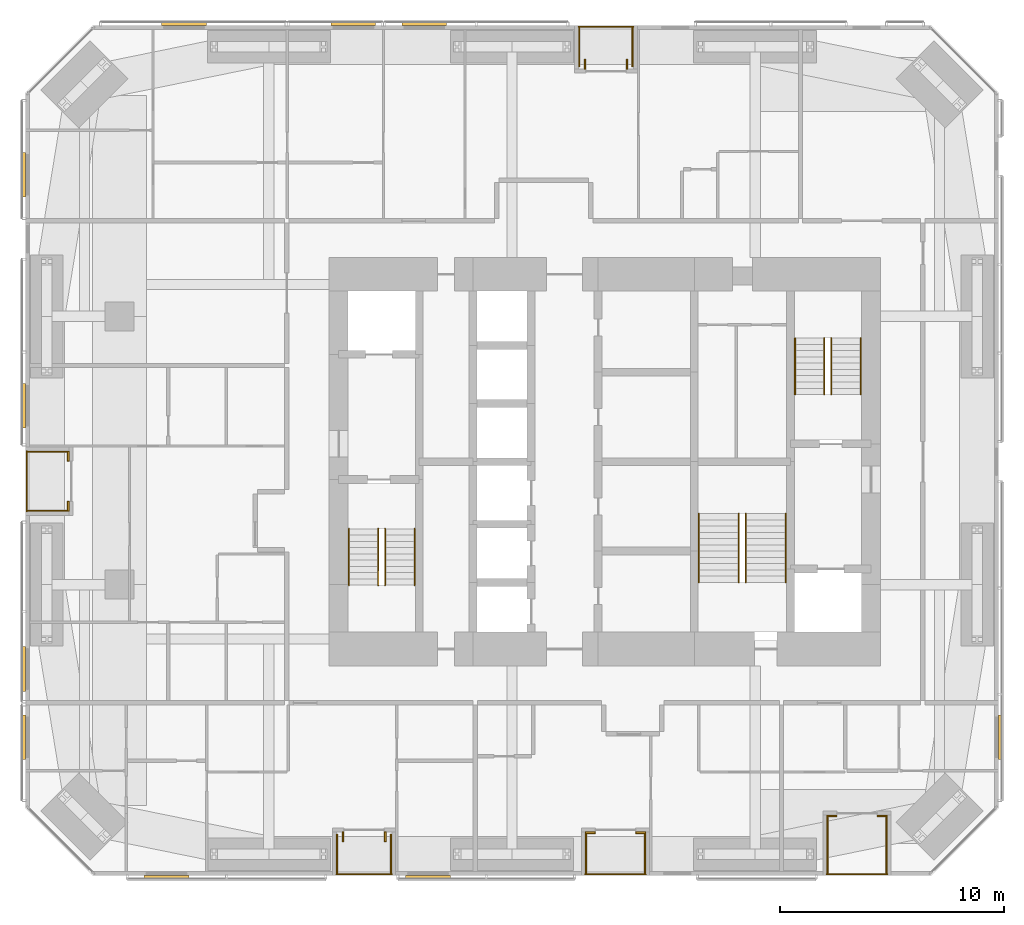
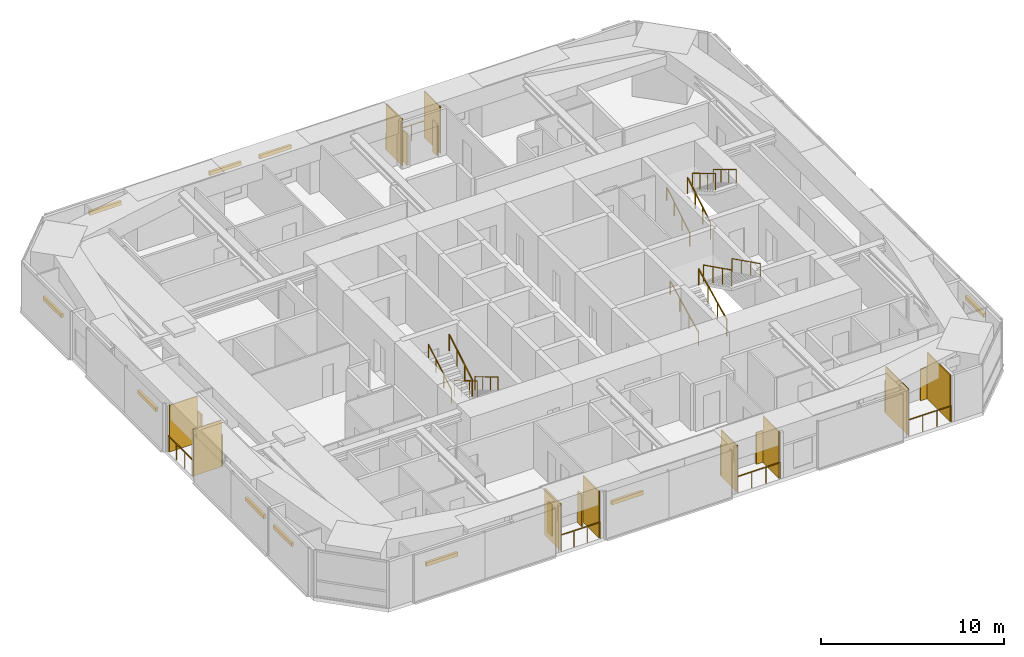
# One storey, part 23 of 23: 30 shading devices, 17 railings.
"""IFC4 building model written with IfcOpenShell, lengths in metres."""

from ifc_helpers import new_model, si_unit, direction, frame, origin, origin_2d, place, context, subcontext, project, spatial, rectangle, circle, extrude, material, layer, layer_set, constituent, constituent_set, type_object, element, save


model = new_model("IFC4")

# Units and contexts
model_context = context("Model", 3, precision=1e-05, world=origin(), true_north=direction((0.0, 1.0)))
body_context = subcontext(model_context, "Body", "Model", "MODEL_VIEW")
ifc_project = project(units=[si_unit("LENGTHUNIT", "METRE"), si_unit("AREAUNIT", "SQUARE_METRE"), si_unit("VOLUMEUNIT", "CUBIC_METRE"), si_unit("PLANEANGLEUNIT", "RADIAN"), si_unit("MASSUNIT", "GRAM", prefix="KILO")], contexts=[model_context])

# Site, building, storey
site_placement = place(None, origin())
site = spatial("IfcSite", under=ifc_project, at=site_placement, CompositionType="ELEMENT")
building_placement = place(site_placement, origin())
building = spatial("IfcBuilding", under=site, at=building_placement, Name="Jalousie Tower", CompositionType="ELEMENT")
storey_placement = place(building_placement, frame((0.0, 0.0, 108.199951171875)))
storey = spatial("IfcBuildingStorey", under=building, at=storey_placement, Name="L29", CompositionType="ELEMENT", Elevation=108.199951171875)

# Shading devices
ifc_material_1 = material(Name="Aluminium impact-rated louvred storm shutter", Category="aluminium")
shading_device_type_1 = type_object("IfcShadingDeviceType", Name="BI-FOLD STORM SHUTTER 900x2100", PredefinedType="SHUTTER", material=ifc_material_1)
for number, where, z_axis, x_axis, name in (
    (1, (20.197509765625, 1.72509765625, 0.0), (0.0, 0.0, 1.0), (0.0, 1.0, 0.0), "Loggia storm shutter L29"),
    (2, (22.077392578125, 1.72509765625, 0.0), (0.0, 0.0, 1.0), (0.0, 1.0, 0.0), "Loggia storm shutter L29"),
    (3, (31.25, 1.909912109375, 0.0), (0.0, 0.0, 1.0), (1.0, 0.0, 0.0), "Loggia storm shutter L29"),
    (4, (33.5, 1.909912109375, 0.0), (0.0, 0.0, 1.0), (1.0, 0.0, 0.0), "Loggia storm shutter L29"),
    (5, (42.050048828125, 2.659912109375, 0.0), (0.0, 0.0, 1.0), (1.0, 0.0, 0.0), "Loggia storm shutter L29"),
    (6, (44.300048828125, 2.659912109375, 0.0), (0.0, 0.0, 1.0), (1.0, 0.0, 0.0), "Loggia storm shutter L29"),
    (7, (32.890625, 36.27490234375, 0.0), (0.0, 0.0, 1.0), (0.0, -1.0, 0.0), "Loggia storm shutter L29"),
    (8, (31.010498046875, 36.27490234375, 0.0), (0.0, 0.0, 1.0), (0.0, -1.0, 0.0), "Loggia storm shutter L29"),
    (9, (7.909912109375, 18.75, 0.0), (0.0, 0.0, 1.0), (0.0, -1.0, 0.0), "Loggia storm shutter L29"),
    (10, (7.909912109375, 16.5, 0.0), (0.0, 0.0, 1.0), (0.0, -1.0, 0.0), "Loggia storm shutter L29"),
):
    element("IfcShadingDevice", number, at=place(storey_placement, frame(where, z_axis=z_axis, x_axis=x_axis)), inside=storey, type_object=shading_device_type_1, Name=name, PredefinedType="SHUTTER", context=body_context, shape_type="SweptSolid", body=[
        extrude(rectangle(XDim=0.449951171875, YDim=0.080078125, at=origin_2d()), origin(), (0.0, 0.0, 1.0), 2.10009765625),
    ])

# Railings
ifc_material_2 = material(Name="Powder-coated aluminium fretwork", Category="aluminium")
railing_type_1 = type_object("IfcRailingType", Name="FRETWORK BALUSTRADE 1100", PredefinedType="BALUSTRADE", material=ifc_material_2)
railing_1_placement = place(storey_placement, frame((19.89990234375, 0.050048828125, 0.0)))
element("IfcRailing", 11, at=railing_1_placement, inside=storey, type_object=railing_type_1, Name="Loggia fretwork balustrade L29", PredefinedType="BALUSTRADE", context=body_context, shape_type="SweptSolid", body=[
    extrude(rectangle(XDim=0.048095703125, YDim=0.048095703125, at=origin_2d()), frame((0.0, 0.0, 1.076171875), z_axis=(1.0, 0.0, 0.0), x_axis=(0.0, 1.0, 0.0)), (0.0, 0.0, 1.0), 2.47509765625),
    extrude(circle(Radius=0.02099609375, at=origin_2d()), origin(), (0.0, 0.0, 1.0), 1.052001953125),
    extrude(circle(Radius=0.02099609375, at=origin_2d()), frame((0.824951171875, 0.0, 0.0)), (0.0, 0.0, 1.0), 1.052001953125),
    extrude(circle(Radius=0.02099609375, at=origin_2d()), frame((1.650146484375, 0.0, 0.0)), (0.0, 0.0, 1.0), 1.052001953125),
    extrude(circle(Radius=0.02099609375, at=origin_2d()), frame((2.47509765625, 0.0, 0.0)), (0.0, 0.0, 1.0), 1.052001953125),
])
railing_2_placement = place(storey_placement, frame((31.02490234375, 0.050048828125, 0.0)))
element("IfcRailing", 12, at=railing_2_placement, inside=storey, type_object=railing_type_1, Name="Loggia fretwork balustrade L29", PredefinedType="BALUSTRADE", context=body_context, shape_type="SweptSolid", body=[
    extrude(rectangle(XDim=0.048095703125, YDim=0.048095703125, at=origin_2d()), frame((0.0, 0.0, 1.076171875), z_axis=(1.0, 0.0, 0.0), x_axis=(0.0, 1.0, 0.0)), (0.0, 0.0, 1.0), 2.7001953125),
    extrude(circle(Radius=0.02099609375, at=origin_2d()), origin(), (0.0, 0.0, 1.0), 1.052001953125),
    extrude(circle(Radius=0.02099609375, at=origin_2d()), frame((0.900146484375, 0.0, 0.0)), (0.0, 0.0, 1.0), 1.052001953125),
    extrude(circle(Radius=0.02099609375, at=origin_2d()), frame((1.800048828125, 0.0, 0.0)), (0.0, 0.0, 1.0), 1.052001953125),
    extrude(circle(Radius=0.02099609375, at=origin_2d()), frame((2.7001953125, 0.0, 0.0)), (0.0, 0.0, 1.0), 1.052001953125),
])
railing_3_placement = place(storey_placement, frame((41.824951171875, 0.050048828125, 0.0)))
element("IfcRailing", 13, at=railing_3_placement, inside=storey, type_object=railing_type_1, Name="Loggia fretwork balustrade L29", PredefinedType="BALUSTRADE", context=body_context, shape_type="SweptSolid", body=[
    extrude(rectangle(XDim=0.048095703125, YDim=0.048095703125, at=origin_2d()), frame((0.0, 0.0, 1.076171875), z_axis=(1.0, 0.0, 0.0), x_axis=(0.0, 1.0, 0.0)), (0.0, 0.0, 1.0), 2.699951171875),
    extrude(circle(Radius=0.02099609375, at=origin_2d()), origin(), (0.0, 0.0, 1.0), 1.052001953125),
    extrude(circle(Radius=0.02099609375, at=origin_2d()), frame((0.89990234375, 0.0, 0.0)), (0.0, 0.0, 1.0), 1.052001953125),
    extrude(circle(Radius=0.02099609375, at=origin_2d()), frame((1.800048828125, 0.0, 0.0)), (0.0, 0.0, 1.0), 1.052001953125),
    extrude(circle(Radius=0.02099609375, at=origin_2d()), frame((2.699951171875, 0.0, 0.0)), (0.0, 0.0, 1.0), 1.052001953125),
])
railing_4_placement = place(storey_placement, frame((33.175537109375, 37.949951171875, 0.0)))
element("IfcRailing", 14, at=railing_4_placement, inside=storey, type_object=railing_type_1, Name="Loggia fretwork balustrade L29", PredefinedType="BALUSTRADE", context=body_context, shape_type="SweptSolid", body=[
    extrude(rectangle(XDim=0.048095703125, YDim=0.048095703125, at=origin_2d()), frame((0.0, 0.0, 1.076171875), z_axis=(-1.0, 0.0, 0.0), x_axis=(0.0, -1.0, 0.0)), (0.0, 0.0, 1.0), 2.449951171875),
    extrude(circle(Radius=0.02099609375, at=origin_2d()), origin(), (0.0, 0.0, 1.0), 1.052001953125),
    extrude(circle(Radius=0.02099609375, at=origin_2d()), frame((-0.816650390625, 0.0, 0.0)), (0.0, 0.0, 1.0), 1.052001953125),
    extrude(circle(Radius=0.02099609375, at=origin_2d()), frame((-1.63330078125, 0.0, 0.0)), (0.0, 0.0, 1.0), 1.052001953125),
    extrude(circle(Radius=0.02099609375, at=origin_2d()), frame((-2.449951171875, 0.0, 0.0)), (0.0, 0.0, 1.0), 1.052001953125),
])
railing_5_placement = place(storey_placement, frame((6.050048828125, 18.97509765625, 0.0)))
element("IfcRailing", 15, at=railing_5_placement, inside=storey, type_object=railing_type_1, Name="Loggia fretwork balustrade L29", PredefinedType="BALUSTRADE", context=body_context, shape_type="SweptSolid", body=[
    extrude(rectangle(XDim=0.048095703125, YDim=0.048095703125, at=origin_2d()), frame((0.0, 0.0, 1.076171875), z_axis=(0.0, -1.0, 0.0), x_axis=(1.0, 0.0, 0.0)), (0.0, 0.0, 1.0), 2.7001953125),
    extrude(circle(Radius=0.02099609375, at=origin_2d()), origin(), (0.0, 0.0, 1.0), 1.052001953125),
    extrude(circle(Radius=0.02099609375, at=origin_2d()), frame((0.0, -0.900146484375, 0.0)), (0.0, 0.0, 1.0), 1.052001953125),
    extrude(circle(Radius=0.02099609375, at=origin_2d()), frame((0.0, -1.800048828125, 0.0)), (0.0, 0.0, 1.0), 1.052001953125),
    extrude(circle(Radius=0.02099609375, at=origin_2d()), frame((0.0, -2.7001953125, 0.0)), (0.0, 0.0, 1.0), 1.052001953125),
])

# Shading devices
ifc_material_3 = material(Name="Powder-coated aluminium louvres", Category="aluminium")
ifc_layer = layer(ifc_material_3, 0.06005859375)
ifc_layer_set = layer_set([ifc_layer], Name="Powder-coated aluminium louvres")
shading_device_type_2 = type_object("IfcShadingDeviceType", Name="JALOUSIE LOUVRE SCREEN", PredefinedType="JALOUSIE", material=ifc_layer_set)
for number, where, z_axis, x_axis, name in (
    (16, (19.929931640625, 0.97509765625, 0.0), (0.0, 0.0, 1.0), (1.0, 0.0, 0.0), "Loggia jalousie louvre screen L29"),
    (17, (22.344970703125, 0.97509765625, 0.0), (0.0, 0.0, 1.0), (1.0, 0.0, 0.0), "Loggia jalousie louvre screen L29"),
    (18, (31.054931640625, 0.97509765625, 0.0), (0.0, 0.0, 1.0), (1.0, 0.0, 0.0), "Loggia jalousie louvre screen L29"),
    (19, (33.695068359375, 0.97509765625, 0.0), (0.0, 0.0, 1.0), (1.0, 0.0, 0.0), "Loggia jalousie louvre screen L29"),
):
    element("IfcShadingDevice", number, at=place(storey_placement, frame(where, z_axis=z_axis, x_axis=x_axis)), inside=storey, type_object=shading_device_type_2, Name=name, PredefinedType="JALOUSIE", context=body_context, shape_type="SweptSolid", body=[
        extrude(rectangle(XDim=0.06005859375, YDim=1.75, at=origin_2d()), origin(), (0.0, 0.0, 1.0), 3.110107421875),
    ])
for number, where, z_axis, x_axis, name in (
    (20, (41.85498046875, 1.35009765625, 0.0), (0.0, 0.0, 1.0), (1.0, 0.0, 0.0), "Loggia jalousie louvre screen L29"),
    (21, (44.4951171875, 1.35009765625, 0.0), (0.0, 0.0, 1.0), (1.0, 0.0, 0.0), "Loggia jalousie louvre screen L29"),
):
    element("IfcShadingDevice", number, at=place(storey_placement, frame(where, z_axis=z_axis, x_axis=x_axis)), inside=storey, type_object=shading_device_type_2, Name=name, PredefinedType="JALOUSIE", context=body_context, shape_type="SweptSolid", body=[
        extrude(rectangle(XDim=0.06005859375, YDim=2.5, at=origin_2d()), origin(), (0.0, 0.0, 1.0), 3.110107421875),
    ])
for number, where, z_axis, x_axis, name in (
    (22, (33.1455078125, 37.02490234375, 0.0), (0.0, 0.0, 1.0), (-1.0, 0.0, 0.0), "Loggia jalousie louvre screen L29"),
    (23, (30.755615234375, 37.02490234375, 0.0), (0.0, 0.0, 1.0), (-1.0, 0.0, 0.0), "Loggia jalousie louvre screen L29"),
    (24, (6.97509765625, 18.945068359375, 0.0), (0.0, 0.0, 1.0), (0.0, -1.0, 0.0), "Loggia jalousie louvre screen L29"),
    (25, (6.97509765625, 16.304931640625, 0.0), (0.0, 0.0, 1.0), (0.0, -1.0, 0.0), "Loggia jalousie louvre screen L29"),
):
    element("IfcShadingDevice", number, at=place(storey_placement, frame(where, z_axis=z_axis, x_axis=x_axis)), inside=storey, type_object=shading_device_type_2, Name=name, PredefinedType="JALOUSIE", context=body_context, shape_type="SweptSolid", body=[
        extrude(rectangle(XDim=0.06005859375, YDim=1.75, at=origin_2d()), origin(), (0.0, 0.0, 1.0), 3.110107421875),
    ])

# Railings
ifc_material_4 = material(Name="Steel ASTM A500 Grade C", Category="steel")
ifc_constituent_1 = constituent(ifc_material_4, Name="Body")
ifc_material_5 = material(Name="Hot-dip galvanised zinc coating")
ifc_constituent_2 = constituent(ifc_material_5, Name="Finish")
ifc_constituent_set_1 = constituent_set(constituents=[ifc_constituent_1, ifc_constituent_2])
railing_type_2 = type_object("IfcRailingType", Name="STAIR GUARD 1100", PredefinedType="GUARDRAIL", material=ifc_constituent_set_1)
railing_6_placement = place(storey_placement, frame((22.080078125, 15.49755859375, 0.16748046875)))
element("IfcRailing", 26, at=railing_6_placement, inside=storey, type_object=railing_type_2, Name="Exit stair A guard L29 flight 1", PredefinedType="GUARDRAIL", context=body_context, shape_type="SweptSolid", body=[
    extrude(rectangle(XDim=0.048095703125, YDim=0.048095703125, at=origin_2d()), frame((0.0, 0.0, 1.076171875), z_axis=(0.0, -0.858159760407, 0.513382728203), x_axis=(1.0, 0.0, 0.0)), (0.0, 0.0, 1.0), 2.9365234375),
    extrude(circle(Radius=0.02099609375, at=origin_2d()), origin(), (0.0, 0.0, 1.0), 1.052001953125),
    extrude(circle(Radius=0.02099609375, at=origin_2d()), frame((0.0, -0.840087890625, 0.50244140625)), (0.0, 0.0, 1.0), 1.052001953125),
    extrude(circle(Radius=0.02099609375, at=origin_2d()), frame((0.0, -1.679931640625, 1.005126953125)), (0.0, 0.0, 1.0), 1.052001953125),
    extrude(circle(Radius=0.02099609375, at=origin_2d()), frame((0.0, -2.52001953125, 1.507568359375)), (0.0, 0.0, 1.0), 1.052001953125),
])
for number, where, name in (
    (27, (21.77001953125, 12.9775390625, 1.842529296875), "Exit stair A guard L29 flight 2"),
    (28, (41.719970703125, 21.50244140625, 0.16748046875), "Exit stair B guard L29 flight 1"),
):
    element("IfcRailing", number, at=place(storey_placement, frame(where)), inside=storey, type_object=railing_type_2, Name=name, PredefinedType="GUARDRAIL", context=body_context, shape_type="SweptSolid", body=[
        extrude(rectangle(XDim=0.048095703125, YDim=0.048095703125, at=origin_2d()), frame((0.0, 0.0, 1.076171875), z_axis=(0.0, 0.858159760407, 0.513382728203), x_axis=(-1.0, 0.0, 0.0)), (0.0, 0.0, 1.0), 2.9365234375),
        extrude(circle(Radius=0.02099609375, at=origin_2d()), origin(), (0.0, 0.0, 1.0), 1.052001953125),
        extrude(circle(Radius=0.02099609375, at=origin_2d()), frame((0.0, 0.840087890625, 0.50244140625)), (0.0, 0.0, 1.0), 1.052001953125),
        extrude(circle(Radius=0.02099609375, at=origin_2d()), frame((0.0, 1.679931640625, 1.005126953125)), (0.0, 0.0, 1.0), 1.052001953125),
        extrude(circle(Radius=0.02099609375, at=origin_2d()), frame((0.0, 2.52001953125, 1.507568359375)), (0.0, 0.0, 1.0), 1.052001953125),
    ])
railing_7_placement = place(storey_placement, frame((42.030029296875, 24.0224609375, 1.842529296875)))
element("IfcRailing", 29, at=railing_7_placement, inside=storey, type_object=railing_type_2, Name="Exit stair B guard L29 flight 2", PredefinedType="GUARDRAIL", context=body_context, shape_type="SweptSolid", body=[
    extrude(rectangle(XDim=0.048095703125, YDim=0.048095703125, at=origin_2d()), frame((0.0, 0.0, 1.076171875), z_axis=(0.0, -0.858159760407, 0.513382728203), x_axis=(1.0, 0.0, 0.0)), (0.0, 0.0, 1.0), 2.9365234375),
    extrude(circle(Radius=0.02099609375, at=origin_2d()), origin(), (0.0, 0.0, 1.0), 1.052001953125),
    extrude(circle(Radius=0.02099609375, at=origin_2d()), frame((0.0, -0.840087890625, 0.50244140625)), (0.0, 0.0, 1.0), 1.052001953125),
    extrude(circle(Radius=0.02099609375, at=origin_2d()), frame((0.0, -1.679931640625, 1.005126953125)), (0.0, 0.0, 1.0), 1.052001953125),
    extrude(circle(Radius=0.02099609375, at=origin_2d()), frame((0.0, -2.52001953125, 1.507568359375)), (0.0, 0.0, 1.0), 1.052001953125),
])
railing_8_placement = place(storey_placement, frame((37.89501953125, 13.097412109375, 0.1396484375)))
element("IfcRailing", 30, at=railing_8_placement, inside=storey, type_object=railing_type_2, Name="Exit stair C guard L29 flight 1", PredefinedType="GUARDRAIL", context=body_context, shape_type="SweptSolid", body=[
    extrude(rectangle(XDim=0.048095703125, YDim=0.048095703125, at=origin_2d()), frame((0.0, 0.0, 1.076171875), z_axis=(0.0, 0.894965676997, 0.446134998624), x_axis=(-1.0, 0.0, 0.0)), (0.0, 0.0, 1.0), 3.441650390625),
    extrude(circle(Radius=0.02099609375, at=origin_2d()), origin(), (0.0, 0.0, 1.0), 1.052001953125),
    extrude(circle(Radius=0.02099609375, at=origin_2d()), frame((0.0, 1.026611328125, 0.51171875)), (0.0, 0.0, 1.0), 1.052001953125),
    extrude(circle(Radius=0.02099609375, at=origin_2d()), frame((0.0, 2.053466796875, 1.023681640625)), (0.0, 0.0, 1.0), 1.052001953125),
    extrude(circle(Radius=0.02099609375, at=origin_2d()), frame((0.0, 3.080078125, 1.535400390625)), (0.0, 0.0, 1.0), 1.052001953125),
])
railing_9_placement = place(storey_placement, frame((38.205078125, 16.177490234375, 1.814697265625)))
element("IfcRailing", 31, at=railing_9_placement, inside=storey, type_object=railing_type_2, Name="Exit stair C guard L29 flight 2", PredefinedType="GUARDRAIL", context=body_context, shape_type="SweptSolid", body=[
    extrude(rectangle(XDim=0.048095703125, YDim=0.048095703125, at=origin_2d()), frame((0.0, 0.0, 1.076171875), z_axis=(0.0, -0.894965676997, 0.446134998624), x_axis=(1.0, 0.0, 0.0)), (0.0, 0.0, 1.0), 3.441650390625),
    extrude(circle(Radius=0.02099609375, at=origin_2d()), origin(), (0.0, 0.0, 1.0), 1.052001953125),
    extrude(circle(Radius=0.02099609375, at=origin_2d()), frame((0.0, -1.026611328125, 0.51171875)), (0.0, 0.0, 1.0), 1.052001953125),
    extrude(circle(Radius=0.02099609375, at=origin_2d()), frame((0.0, -2.053466796875, 1.023681640625)), (0.0, 0.0, 1.0), 1.052001953125),
    extrude(circle(Radius=0.02099609375, at=origin_2d()), frame((0.0, -3.080078125, 1.535400390625)), (0.0, 0.0, 1.0), 1.052001953125),
])
ifc_material_6 = material(Name="Steel ASTM A500 Grade C", Category="steel")
ifc_constituent_3 = constituent(ifc_material_6, Name="Body")
ifc_material_7 = material(Name="Hot-dip galvanised zinc coating")
ifc_constituent_4 = constituent(ifc_material_7, Name="Finish")
ifc_constituent_set_2 = constituent_set(constituents=[ifc_constituent_3, ifc_constituent_4])
railing_type_3 = type_object("IfcRailingType", Name="STAIR HANDRAIL 900", PredefinedType="HANDRAIL", material=ifc_constituent_set_2)
railing_10_placement = place(storey_placement, frame((23.39501953125, 15.49755859375, 0.16748046875)))
element("IfcRailing", 32, at=railing_10_placement, inside=storey, type_object=railing_type_3, Name="Exit stair A handrail L29 flight 1", PredefinedType="HANDRAIL", context=body_context, shape_type="SweptSolid", body=[
    extrude(circle(Radius=0.02392578125, at=origin_2d()), frame((0.0, 0.0, 0.8759765625), z_axis=(0.0, -0.858159760407, 0.513382728203), x_axis=(1.0, 0.0, 0.0)), (0.0, 0.0, 1.0), 2.9365234375),
    extrude(circle(Radius=0.02099609375, at=origin_2d()), origin(), (0.0, 0.0, 1.0), 0.851806640625),
    extrude(circle(Radius=0.02099609375, at=origin_2d()), frame((0.0, -0.840087890625, 0.50244140625)), (0.0, 0.0, 1.0), 0.851806640625),
    extrude(circle(Radius=0.02099609375, at=origin_2d()), frame((0.0, -1.679931640625, 1.005126953125)), (0.0, 0.0, 1.0), 0.851806640625),
    extrude(circle(Radius=0.02099609375, at=origin_2d()), frame((0.0, -2.52001953125, 1.507568359375)), (0.0, 0.0, 1.0), 0.851806640625),
])
for number, where, name in (
    (33, (20.455078125, 12.9775390625, 1.842529296875), "Exit stair A handrail L29 flight 2"),
    (34, (40.405029296875, 21.50244140625, 0.16748046875), "Exit stair B handrail L29 flight 1"),
):
    element("IfcRailing", number, at=place(storey_placement, frame(where)), inside=storey, type_object=railing_type_3, Name=name, PredefinedType="HANDRAIL", context=body_context, shape_type="SweptSolid", body=[
        extrude(circle(Radius=0.02392578125, at=origin_2d()), frame((0.0, 0.0, 0.8759765625), z_axis=(0.0, 0.858159760407, 0.513382728203), x_axis=(-1.0, 0.0, 0.0)), (0.0, 0.0, 1.0), 2.9365234375),
        extrude(circle(Radius=0.02099609375, at=origin_2d()), origin(), (0.0, 0.0, 1.0), 0.851806640625),
        extrude(circle(Radius=0.02099609375, at=origin_2d()), frame((0.0, 0.840087890625, 0.50244140625)), (0.0, 0.0, 1.0), 0.851806640625),
        extrude(circle(Radius=0.02099609375, at=origin_2d()), frame((0.0, 1.679931640625, 1.005126953125)), (0.0, 0.0, 1.0), 0.851806640625),
        extrude(circle(Radius=0.02099609375, at=origin_2d()), frame((0.0, 2.52001953125, 1.507568359375)), (0.0, 0.0, 1.0), 0.851806640625),
    ])
railing_11_placement = place(storey_placement, frame((43.344970703125, 24.0224609375, 1.842529296875)))
element("IfcRailing", 35, at=railing_11_placement, inside=storey, type_object=railing_type_3, Name="Exit stair B handrail L29 flight 2", PredefinedType="HANDRAIL", context=body_context, shape_type="SweptSolid", body=[
    extrude(circle(Radius=0.02392578125, at=origin_2d()), frame((0.0, 0.0, 0.8759765625), z_axis=(0.0, -0.858159760407, 0.513382728203), x_axis=(1.0, 0.0, 0.0)), (0.0, 0.0, 1.0), 2.9365234375),
    extrude(circle(Radius=0.02099609375, at=origin_2d()), origin(), (0.0, 0.0, 1.0), 0.851806640625),
    extrude(circle(Radius=0.02099609375, at=origin_2d()), frame((0.0, -0.840087890625, 0.50244140625)), (0.0, 0.0, 1.0), 0.851806640625),
    extrude(circle(Radius=0.02099609375, at=origin_2d()), frame((0.0, -1.679931640625, 1.005126953125)), (0.0, 0.0, 1.0), 0.851806640625),
    extrude(circle(Radius=0.02099609375, at=origin_2d()), frame((0.0, -2.52001953125, 1.507568359375)), (0.0, 0.0, 1.0), 0.851806640625),
])
railing_12_placement = place(storey_placement, frame((36.10498046875, 13.097412109375, 0.1396484375)))
element("IfcRailing", 36, at=railing_12_placement, inside=storey, type_object=railing_type_3, Name="Exit stair C handrail L29 flight 1", PredefinedType="HANDRAIL", context=body_context, shape_type="SweptSolid", body=[
    extrude(circle(Radius=0.02392578125, at=origin_2d()), frame((0.0, 0.0, 0.8759765625), z_axis=(0.0, 0.894965676997, 0.446134998624), x_axis=(-1.0, 0.0, 0.0)), (0.0, 0.0, 1.0), 3.441650390625),
    extrude(circle(Radius=0.02099609375, at=origin_2d()), origin(), (0.0, 0.0, 1.0), 0.851806640625),
    extrude(circle(Radius=0.02099609375, at=origin_2d()), frame((0.0, 1.026611328125, 0.51171875)), (0.0, 0.0, 1.0), 0.851806640625),
    extrude(circle(Radius=0.02099609375, at=origin_2d()), frame((0.0, 2.053466796875, 1.023681640625)), (0.0, 0.0, 1.0), 0.851806640625),
    extrude(circle(Radius=0.02099609375, at=origin_2d()), frame((0.0, 3.080078125, 1.535400390625)), (0.0, 0.0, 1.0), 0.851806640625),
])
railing_13_placement = place(storey_placement, frame((39.9951171875, 16.177490234375, 1.814697265625)))
element("IfcRailing", 37, at=railing_13_placement, inside=storey, type_object=railing_type_3, Name="Exit stair C handrail L29 flight 2", PredefinedType="HANDRAIL", context=body_context, shape_type="SweptSolid", body=[
    extrude(circle(Radius=0.02392578125, at=origin_2d()), frame((0.0, 0.0, 0.8759765625), z_axis=(0.0, -0.894965676997, 0.446134998624), x_axis=(1.0, 0.0, 0.0)), (0.0, 0.0, 1.0), 3.441650390625),
    extrude(circle(Radius=0.02099609375, at=origin_2d()), origin(), (0.0, 0.0, 1.0), 0.851806640625),
    extrude(circle(Radius=0.02099609375, at=origin_2d()), frame((0.0, -1.026611328125, 0.51171875)), (0.0, 0.0, 1.0), 0.851806640625),
    extrude(circle(Radius=0.02099609375, at=origin_2d()), frame((0.0, -2.053466796875, 1.023681640625)), (0.0, 0.0, 1.0), 0.851806640625),
    extrude(circle(Radius=0.02099609375, at=origin_2d()), frame((0.0, -3.080078125, 1.535400390625)), (0.0, 0.0, 1.0), 0.851806640625),
])

# Shading devices
ifc_material_8 = material(Name="Aluminium roller storm shutter", Category="aluminium")
shading_device_type_3 = type_object("IfcShadingDeviceType", Name="STORM SHUTTER HOUSING", PredefinedType="SHUTTER", material=ifc_material_8)
for number, where, z_axis, x_axis, name in (
    (38, (12.300048828125, -0.074951171875, 2.10009765625), (0.0, 0.0, 1.0), (1.0, 0.0, 0.0), "Storm shutter L29"),
    (39, (23.989990234375, -0.074951171875, 2.10009765625), (0.0, 0.0, 1.0), (1.0, 0.0, 0.0), "Storm shutter L29"),
    (40, (49.574951171875, 6.175537109375, 2.10009765625), (0.0, 0.0, 1.0), (0.0, 1.0, 0.0), "Storm shutter L29"),
    (41, (23.824951171875, 38.074951171875, 2.10009765625), (0.0, 0.0, 1.0), (-1.0, 0.0, 0.0), "Storm shutter L29"),
    (42, (20.657470703125, 38.074951171875, 2.10009765625), (0.0, 0.0, 1.0), (-1.0, 0.0, 0.0), "Storm shutter L29"),
    (43, (13.0849609375, 38.074951171875, 2.10009765625), (0.0, 0.0, 1.0), (-1.0, 0.0, 0.0), "Storm shutter L29"),
    (44, (5.925048828125, 31.324462890625, 2.10009765625), (0.0, 0.0, 1.0), (0.0, -1.0, 0.0), "Storm shutter L29"),
    (45, (5.925048828125, 21.0, 2.10009765625), (0.0, 0.0, 1.0), (0.0, -1.0, 0.0), "Storm shutter L29"),
    (46, (5.925048828125, 9.22509765625, 2.10009765625), (0.0, 0.0, 1.0), (0.0, -1.0, 0.0), "Storm shutter L29"),
    (47, (5.925048828125, 6.17529296875, 2.10009765625), (0.0, 0.0, 1.0), (0.0, -1.0, 0.0), "Storm shutter L29"),
):
    element("IfcShadingDevice", number, at=place(storey_placement, frame(where, z_axis=z_axis, x_axis=x_axis)), inside=storey, type_object=shading_device_type_3, Name=name, PredefinedType="SHUTTER", context=body_context, shape_type="SweptSolid", body=[
        extrude(rectangle(XDim=2.0, YDim=0.14990234375, at=origin_2d()), origin(), (0.0, 0.0, 1.0), 0.25),
    ])

save(model, "model.ifc")
